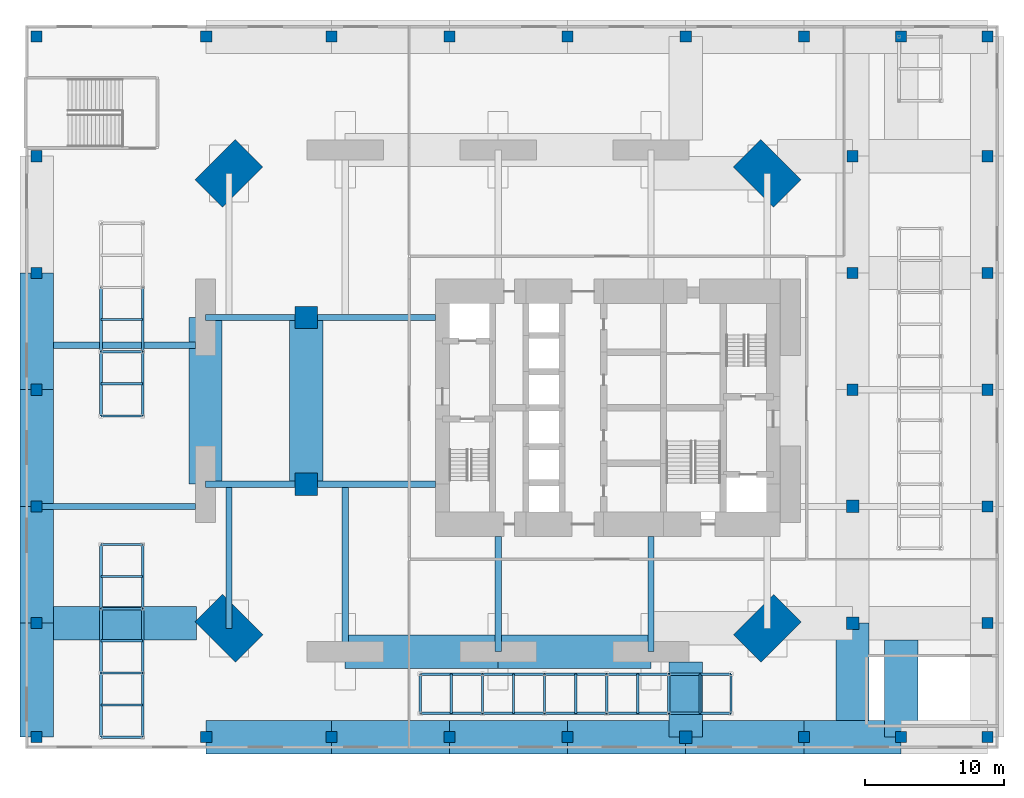
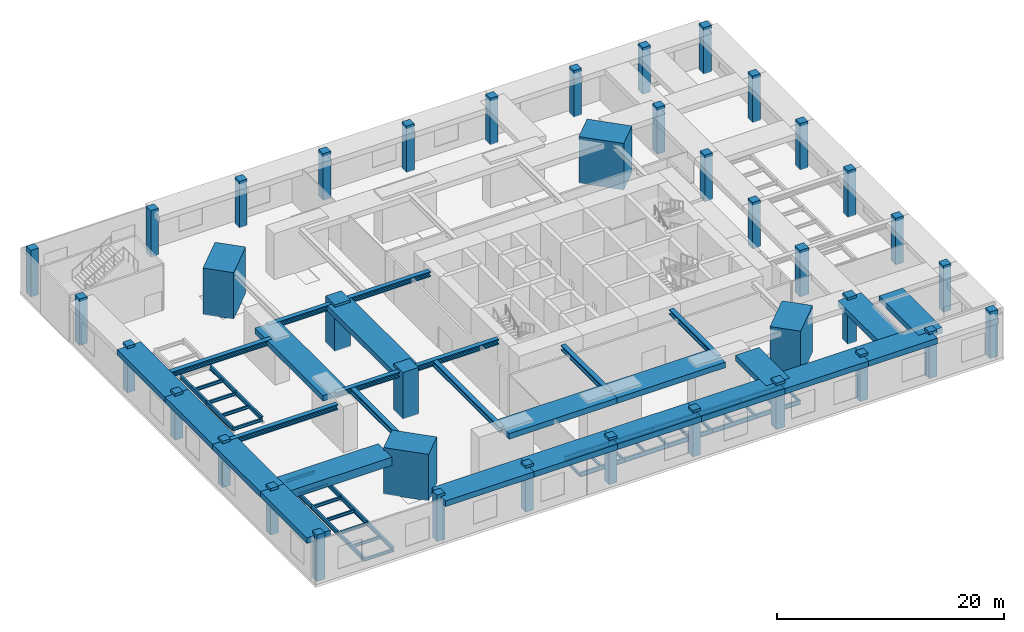
# One storey, part 1 of 17: 70 beams, 39 columns.
"""IFC4 building model written with IfcOpenShell, lengths in metres."""

from ifc_helpers import new_model, si_unit, direction, frame, origin, origin_2d, place, context, subcontext, project, spatial, rectangle, i_section, extrude, material, material_profile, profile_set, type_object, element, save


model = new_model("IFC4")

# Units and contexts
model_context = context("Model", 3, precision=1e-05, world=origin(), true_north=direction((0.0, 1.0)))
body_context = subcontext(model_context, "Body", "Model", "MODEL_VIEW")
ifc_project = project(units=[si_unit("LENGTHUNIT", "METRE"), si_unit("AREAUNIT", "SQUARE_METRE"), si_unit("VOLUMEUNIT", "CUBIC_METRE"), si_unit("PLANEANGLEUNIT", "RADIAN"), si_unit("MASSUNIT", "GRAM", prefix="KILO")], contexts=[model_context])

# Site, building, storey
site_placement = place(None, origin())
site = spatial("IfcSite", under=ifc_project, at=site_placement, CompositionType="ELEMENT")
building_placement = place(site_placement, origin())
building = spatial("IfcBuilding", under=site, at=building_placement, Name="Jalousie Tower", CompositionType="ELEMENT")
storey_placement = place(building_placement, frame((0.0, 0.0, 16.0)))
storey = spatial("IfcBuildingStorey", under=building, at=storey_placement, Name="L03", CompositionType="ELEMENT", Elevation=16.0)

# Columns
ifc_material_1 = material(Name="Concrete f'c 120 MPa", Category="concrete")
ifc_material_profile_1 = material_profile(ifc_material_1, rectangle(XDim=1.60009765625, YDim=1.60009765625, at=origin_2d()), Name="RC 1600x1600")
ifc_profile_set_1 = profile_set([ifc_material_profile_1], Name="Concrete f'c 120 MPa")
column_type_1 = type_object("IfcColumnType", Name="RC COLUMN 1600x1600", PredefinedType="COLUMN", material=ifc_profile_set_1)
for number, where, z_axis, x_axis, name in (
    (1, (10.199951171875, 13.0, 0.0), (0.0, 0.0, 1.0), (1.0, 0.0, 0.0), "Interior column IA1 L03"),
    (2, (10.199951171875, 25.0, 0.0), (0.0, 0.0, 1.0), (1.0, 0.0, 0.0), "Interior column IA2 L03"),
):
    element("IfcColumn", number, at=place(storey_placement, frame(where, z_axis=z_axis, x_axis=x_axis)), inside=storey, type_object=column_type_1, Name=name, PredefinedType="COLUMN", context=body_context, shape_type="SweptSolid", body=[
        extrude(rectangle(XDim=1.60009765625, YDim=1.60009765625, at=origin_2d()), origin(), (0.0, 0.0, 1.0), 5.0),
    ])
ifc_material_2 = material(Name="Concrete f'c 120 MPa", Category="concrete")
ifc_material_profile_2 = material_profile(ifc_material_2, rectangle(XDim=0.800048828125, YDim=0.800048828125, at=origin_2d()), Name="RC 800x800")
ifc_profile_set_2 = profile_set([ifc_material_profile_2], Name="Concrete f'c 120 MPa")
column_type_2 = type_object("IfcColumnType", Name="RC COLUMN 800x800", PredefinedType="COLUMN", material=ifc_profile_set_2)
for number, where, z_axis, x_axis, name in (
    (3, (-9.199951171875, -5.199951171875, 0.0), (0.0, 0.0, 1.0), (1.0, 0.0, 0.0), "Podium column P01 L03"),
    (4, (3.0, -5.199951171875, 0.0), (0.0, 0.0, 1.0), (1.0, 0.0, 0.0), "Podium column P02 L03"),
    (5, (12.0, -5.199951171875, 0.0), (0.0, 0.0, 1.0), (1.0, 0.0, 0.0), "Podium column P03 L03"),
    (6, (20.5, -5.199951171875, 0.0), (0.0, 0.0, 1.0), (1.0, 0.0, 0.0), "Podium column P04 L03"),
    (7, (29.0, -5.199951171875, 0.0), (0.0, 0.0, 1.0), (1.0, 0.0, 0.0), "Podium column P05 L03"),
    (8, (46.0, -5.199951171875, 0.0), (0.0, 0.0, 1.0), (1.0, 0.0, 0.0), "Podium column P07 L03"),
    (9, (53.0, -5.199951171875, 0.0), (0.0, 0.0, 1.0), (1.0, 0.0, 0.0), "Podium column P08 L03"),
    (10, (59.199951171875, -5.199951171875, 0.0), (0.0, 0.0, 1.0), (1.0, 0.0, 0.0), "Podium column P09 L03"),
    (11, (-9.199951171875, 3.0, 0.0), (0.0, 0.0, 1.0), (1.0, 0.0, 0.0), "Podium column P10 L03"),
    (12, (59.199951171875, 3.0, 0.0), (0.0, 0.0, 1.0), (1.0, 0.0, 0.0), "Podium column P12 L03"),
    (13, (-9.199951171875, 11.39990234375, 0.0), (0.0, 0.0, 1.0), (1.0, 0.0, 0.0), "Podium column P13 L03"),
    (14, (59.199951171875, 11.39990234375, 0.0), (0.0, 0.0, 1.0), (1.0, 0.0, 0.0), "Podium column P15 L03"),
    (15, (-9.199951171875, 19.800048828125, 0.0), (0.0, 0.0, 1.0), (1.0, 0.0, 0.0), "Podium column P16 L03"),
    (16, (49.5, 19.800048828125, 0.0), (0.0, 0.0, 1.0), (1.0, 0.0, 0.0), "Podium column P17 L03"),
    (17, (59.199951171875, 19.800048828125, 0.0), (0.0, 0.0, 1.0), (1.0, 0.0, 0.0), "Podium column P18 L03"),
    (18, (-9.199951171875, 28.199951171875, 0.0), (0.0, 0.0, 1.0), (1.0, 0.0, 0.0), "Podium column P19 L03"),
    (19, (49.5, 28.199951171875, 0.0), (0.0, 0.0, 1.0), (1.0, 0.0, 0.0), "Podium column P20 L03"),
    (20, (59.199951171875, 28.199951171875, 0.0), (0.0, 0.0, 1.0), (1.0, 0.0, 0.0), "Podium column P21 L03"),
    (21, (-9.199951171875, 36.60009765625, 0.0), (0.0, 0.0, 1.0), (1.0, 0.0, 0.0), "Podium column P22 L03"),
    (22, (49.5, 36.60009765625, 0.0), (0.0, 0.0, 1.0), (1.0, 0.0, 0.0), "Podium column P23 L03"),
    (23, (59.199951171875, 36.60009765625, 0.0), (0.0, 0.0, 1.0), (1.0, 0.0, 0.0), "Podium column P24 L03"),
    (24, (-9.199951171875, 45.199951171875, 0.0), (0.0, 0.0, 1.0), (1.0, 0.0, 0.0), "Podium column P25 L03"),
    (25, (3.0, 45.199951171875, 0.0), (0.0, 0.0, 1.0), (1.0, 0.0, 0.0), "Podium column P26 L03"),
    (26, (12.0, 45.199951171875, 0.0), (0.0, 0.0, 1.0), (1.0, 0.0, 0.0), "Podium column P27 L03"),
    (27, (20.5, 45.199951171875, 0.0), (0.0, 0.0, 1.0), (1.0, 0.0, 0.0), "Podium column P28 L03"),
    (28, (29.0, 45.199951171875, 0.0), (0.0, 0.0, 1.0), (1.0, 0.0, 0.0), "Podium column P29 L03"),
    (29, (37.5, 45.199951171875, 0.0), (0.0, 0.0, 1.0), (1.0, 0.0, 0.0), "Podium column P30 L03"),
    (30, (46.0, 45.199951171875, 0.0), (0.0, 0.0, 1.0), (1.0, 0.0, 0.0), "Podium column P31 L03"),
    (31, (53.0, 45.199951171875, 0.0), (0.0, 0.0, 1.0), (1.0, 0.0, 0.0), "Podium column P32 L03"),
    (32, (59.199951171875, 45.199951171875, 0.0), (0.0, 0.0, 1.0), (1.0, 0.0, 0.0), "Podium column P33 L03"),
):
    element("IfcColumn", number, at=place(storey_placement, frame(where, z_axis=z_axis, x_axis=x_axis)), inside=storey, type_object=column_type_2, Name=name, PredefinedType="COLUMN", context=body_context, shape_type="SweptSolid", body=[
        extrude(rectangle(XDim=0.800048828125, YDim=0.800048828125, at=origin_2d()), origin(), (0.0, 0.0, 1.0), 5.0),
    ])
ifc_material_3 = material(Name="Concrete f'c 120 MPa", Category="concrete")
ifc_material_profile_3 = material_profile(ifc_material_3, rectangle(XDim=0.89990234375, YDim=0.89990234375, at=origin_2d()), Name="RC 900x900")
ifc_profile_set_3 = profile_set([ifc_material_profile_3], Name="Concrete f'c 120 MPa")
column_type_3 = type_object("IfcColumnType", Name="RC COLUMN 900x900", PredefinedType="COLUMN", material=ifc_profile_set_3)
for number, where, z_axis, x_axis, name in (
    (33, (37.5, -5.199951171875, 0.0), (0.0, 0.0, 1.0), (1.0, 0.0, 0.0), "Podium column P06 L03"),
    (34, (49.5, 3.0, 0.0), (0.0, 0.0, 1.0), (1.0, 0.0, 0.0), "Podium column P11 L03"),
    (35, (49.5, 11.39990234375, 0.0), (0.0, 0.0, 1.0), (1.0, 0.0, 0.0), "Podium column P14 L03"),
):
    element("IfcColumn", number, at=place(storey_placement, frame(where, z_axis=z_axis, x_axis=x_axis)), inside=storey, type_object=column_type_3, Name=name, PredefinedType="COLUMN", context=body_context, shape_type="SweptSolid", body=[
        extrude(rectangle(XDim=0.89990234375, YDim=0.89990234375, at=origin_2d()), origin(), (0.0, 0.0, 1.0), 5.0),
    ])
ifc_material_4 = material(Name="Concrete f'c 120 MPa", Category="concrete")
ifc_material_profile_4 = material_profile(ifc_material_4, rectangle(XDim=2.800048828125, YDim=4.10009765625, at=origin_2d()), Name="RC 2800x4100")
ifc_profile_set_4 = profile_set([ifc_material_profile_4], Name="Concrete f'c 120 MPa")
column_type_4 = type_object("IfcColumnType", Name="RC CORNER COLUMN 2800x4100", PredefinedType="COLUMN", material=ifc_profile_set_4)
for number, where, z_axis, x_axis, name in (
    (36, (4.63134765625, 2.63134765625, 0.0), (0.0, 0.0, 1.0), (0.707106781187, 0.707106781187, 0.0), "Corner column 01 L03"),
    (37, (43.36865234375, 2.63134765625, 0.0), (0.0, 0.0, 1.0), (-0.707106781187, 0.707106781187, 0.0), "Corner column 05 L03"),
    (38, (43.36865234375, 35.36865234375, 0.0), (0.0, 0.0, 1.0), (-0.707106781187, -0.707106781187, 0.0), "Corner column 08 L03"),
    (39, (4.63134765625, 35.36865234375, 0.0), (0.0, 0.0, 1.0), (0.707106781187, -0.707106781187, 0.0), "Corner column 12 L03"),
):
    element("IfcColumn", number, at=place(storey_placement, frame(where, z_axis=z_axis, x_axis=x_axis)), inside=storey, type_object=column_type_4, Name=name, PredefinedType="COLUMN", context=body_context, shape_type="SweptSolid", body=[
        extrude(rectangle(XDim=2.800048828125, YDim=4.10009765625, at=origin_2d()), origin(), (0.0, 0.0, 1.0), 5.0),
    ])

# Beams
ifc_material_5 = material(Name="Steel ASTM A992 Grade 50", Category="steel")
ifc_material_profile_5 = material_profile(ifc_material_5, i_section(OverallWidth=0.45458984375, OverallDepth=0.569091796875, WebThickness=0.077880859375, FlangeThickness=0.124755859375, at=origin_2d()), Name="W14X730")
ifc_profile_set_5 = profile_set([ifc_material_profile_5], Name="Steel ASTM A992 Grade 50")
beam_type_1 = type_object("IfcBeamType", Name="LEAN COLLECTOR W14X730", PredefinedType="BEAM", material=ifc_profile_set_5)
for number, where, z_axis, x_axis, name in (
    (40, (2.949951171875, 13.0, 4.435546875), (1.0, 0.0, 0.0), (0.0, 1.0, 0.0), "Lean collector under L04"),
    (41, (2.949951171875, 25.0, 4.435546875), (1.0, 0.0, 0.0), (0.0, 1.0, 0.0), "Lean collector under L04"),
):
    element("IfcBeam", number, at=place(storey_placement, frame(where, z_axis=z_axis, x_axis=x_axis)), inside=storey, type_object=beam_type_1, Name=name, PredefinedType="BEAM", context=body_context, shape_type="SweptSolid", body=[
        extrude(i_section(OverallWidth=0.45458984375, OverallDepth=0.569091796875, WebThickness=0.077880859375, FlangeThickness=0.124755859375, at=origin_2d()), origin(), (0.0, 0.0, 1.0), 7.25),
    ])
for number, where, z_axis, x_axis, name in (
    (42, (10.199951171875, 13.0, 4.435546875), (1.0, 0.0, 0.0), (0.0, 1.0, 0.0), "Lean collector under L04"),
    (43, (10.199951171875, 25.0, 4.435546875), (1.0, 0.0, 0.0), (0.0, 1.0, 0.0), "Lean collector under L04"),
):
    element("IfcBeam", number, at=place(storey_placement, frame(where, z_axis=z_axis, x_axis=x_axis)), inside=storey, type_object=beam_type_1, Name=name, PredefinedType="BEAM", context=body_context, shape_type="SweptSolid", body=[
        extrude(i_section(OverallWidth=0.45458984375, OverallDepth=0.569091796875, WebThickness=0.077880859375, FlangeThickness=0.124755859375, at=origin_2d()), origin(), (0.0, 0.0, 1.0), 9.300048828125),
    ])
for number, where, z_axis, x_axis, name in (
    (44, (24.0, 0.949951171875, 4.435546875), (0.0, 1.0, 0.0), (-1.0, 0.0, 0.0), "Lean collector under L04"),
    (45, (35.0, 0.949951171875, 4.435546875), (0.0, 1.0, 0.0), (-1.0, 0.0, 0.0), "Lean collector under L04"),
):
    element("IfcBeam", number, at=place(storey_placement, frame(where, z_axis=z_axis, x_axis=x_axis)), inside=storey, type_object=beam_type_1, Name=name, PredefinedType="BEAM", context=body_context, shape_type="SweptSolid", body=[
        extrude(i_section(OverallWidth=0.45458984375, OverallDepth=0.569091796875, WebThickness=0.077880859375, FlangeThickness=0.124755859375, at=origin_2d()), origin(), (0.0, 0.0, 1.0), 8.300048828125),
    ])
beam_1_placement = place(storey_placement, frame((4.63134765625, 2.63134765625, 4.435546875), z_axis=(0.0, 1.0, 0.0), x_axis=(-1.0, 0.0, 0.0)))
element("IfcBeam", 46, at=beam_1_placement, inside=storey, type_object=beam_type_1, Name="Lean collector under L04", PredefinedType="BEAM", context=body_context, shape_type="SweptSolid", body=[
    extrude(i_section(OverallWidth=0.45458984375, OverallDepth=0.569091796875, WebThickness=0.077880859375, FlangeThickness=0.124755859375, at=origin_2d()), origin(), (0.0, 0.0, 1.0), 10.36865234375),
])
beam_2_placement = place(storey_placement, frame((13.0, 0.949951171875, 4.435546875), z_axis=(0.0, 1.0, 0.0), x_axis=(-1.0, 0.0, 0.0)))
element("IfcBeam", 47, at=beam_2_placement, inside=storey, type_object=beam_type_1, Name="Lean collector under L04", PredefinedType="BEAM", context=body_context, shape_type="SweptSolid", body=[
    extrude(i_section(OverallWidth=0.45458984375, OverallDepth=0.569091796875, WebThickness=0.077880859375, FlangeThickness=0.124755859375, at=origin_2d()), origin(), (0.0, 0.0, 1.0), 12.050048828125),
])
beam_3_placement = place(storey_placement, frame((-9.199951171875, 11.39990234375, 4.435546875), z_axis=(1.0, 0.0, 0.0), x_axis=(0.0, 1.0, 0.0)))
element("IfcBeam", 48, at=beam_3_placement, inside=storey, type_object=beam_type_1, Name="Lean collector under L04", PredefinedType="BEAM", context=body_context, shape_type="SweptSolid", body=[
    extrude(i_section(OverallWidth=0.45458984375, OverallDepth=0.569091796875, WebThickness=0.077880859375, FlangeThickness=0.124755859375, at=origin_2d()), origin(), (0.0, 0.0, 1.0), 11.425048828125),
])
beam_4_placement = place(storey_placement, frame((-8.0, 23.0, 4.435546875), z_axis=(1.0, 0.0, 0.0), x_axis=(0.0, 1.0, 0.0)))
element("IfcBeam", 49, at=beam_4_placement, inside=storey, type_object=beam_type_1, Name="Lean collector under L04", PredefinedType="BEAM", context=body_context, shape_type="SweptSolid", body=[
    extrude(i_section(OverallWidth=0.45458984375, OverallDepth=0.569091796875, WebThickness=0.077880859375, FlangeThickness=0.124755859375, at=origin_2d()), origin(), (0.0, 0.0, 1.0), 10.22509765625),
])
ifc_material_6 = material(Name="Steel ASTM A992 Grade 50", Category="steel")
ifc_material_profile_6 = material_profile(ifc_material_6, i_section(OverallWidth=0.164794921875, OverallDepth=0.309814453125, WebThickness=0.005859375, FlangeThickness=0.009765625, at=origin_2d()), Name="W12X26")
ifc_profile_set_6 = profile_set([ifc_material_profile_6], Name="Steel ASTM A992 Grade 50")
beam_type_2 = type_object("IfcBeamType", Name="PLANT SUPPORT BEAM W12X26", PredefinedType="BEAM", material=ifc_profile_set_6)
for number, where, z_axis, x_axis, name in (
    (50, (-4.574951171875, -5.199951171875, 0.35498046875), (1.0, 0.0, 0.0), (0.0, 1.0, 0.0), "Plant support cross beam Mechanical plant room L03"),
    (51, (-4.574951171875, -2.888916015625, 0.35498046875), (1.0, 0.0, 0.0), (0.0, 1.0, 0.0), "Plant support cross beam Mechanical plant room L03"),
    (52, (-4.574951171875, -0.577880859375, 0.35498046875), (1.0, 0.0, 0.0), (0.0, 1.0, 0.0), "Plant support cross beam Mechanical plant room L03"),
    (53, (-4.574951171875, 1.7333984375, 0.35498046875), (1.0, 0.0, 0.0), (0.0, 1.0, 0.0), "Plant support cross beam Mechanical plant room L03"),
    (54, (-4.574951171875, 4.04443359375, 0.35498046875), (1.0, 0.0, 0.0), (0.0, 1.0, 0.0), "Plant support cross beam Mechanical plant room L03"),
    (55, (-4.574951171875, 6.355712890625, 0.35498046875), (1.0, 0.0, 0.0), (0.0, 1.0, 0.0), "Plant support cross beam Mechanical plant room L03"),
    (56, (-4.574951171875, 8.666748046875, 0.35498046875), (1.0, 0.0, 0.0), (0.0, 1.0, 0.0), "Plant support cross beam Mechanical plant room L03"),
    (57, (-4.574951171875, 17.9111328125, 0.35498046875), (1.0, 0.0, 0.0), (0.0, 1.0, 0.0), "Plant support cross beam Mechanical plant room L03"),
    (58, (-4.574951171875, 20.22216796875, 0.35498046875), (1.0, 0.0, 0.0), (0.0, 1.0, 0.0), "Plant support cross beam Mechanical plant room L03"),
    (59, (-4.574951171875, 22.533203125, 0.35498046875), (1.0, 0.0, 0.0), (0.0, 1.0, 0.0), "Plant support cross beam Mechanical plant room L03"),
    (60, (-4.574951171875, 24.844482421875, 0.35498046875), (1.0, 0.0, 0.0), (0.0, 1.0, 0.0), "Plant support cross beam Mechanical plant room L03"),
):
    element("IfcBeam", number, at=place(storey_placement, frame(where, z_axis=z_axis, x_axis=x_axis)), inside=storey, type_object=beam_type_2, Name=name, PredefinedType="BEAM", context=body_context, shape_type="SweptSolid", body=[
        extrude(i_section(OverallWidth=0.164794921875, OverallDepth=0.309814453125, WebThickness=0.005859375, FlangeThickness=0.009765625, at=origin_2d()), origin(), (0.0, 0.0, 1.0), 3.0),
    ])
for number, where, z_axis, x_axis, name in (
    (61, (18.39990234375, -3.487548828125, 0.35498046875), (0.0, 1.0, 0.0), (-1.0, 0.0, 0.0), "Plant support cross beam Electrical plant room L03"),
    (62, (20.6357421875, -3.487548828125, 0.35498046875), (0.0, 1.0, 0.0), (-1.0, 0.0, 0.0), "Plant support cross beam Electrical plant room L03"),
    (63, (22.871337890625, -3.487548828125, 0.35498046875), (0.0, 1.0, 0.0), (-1.0, 0.0, 0.0), "Plant support cross beam Electrical plant room L03"),
    (64, (25.107177734375, -3.487548828125, 0.35498046875), (0.0, 1.0, 0.0), (-1.0, 0.0, 0.0), "Plant support cross beam Electrical plant room L03"),
    (65, (27.3427734375, -3.487548828125, 0.35498046875), (0.0, 1.0, 0.0), (-1.0, 0.0, 0.0), "Plant support cross beam Electrical plant room L03"),
    (66, (29.57861328125, -3.487548828125, 0.35498046875), (0.0, 1.0, 0.0), (-1.0, 0.0, 0.0), "Plant support cross beam Electrical plant room L03"),
    (67, (31.814208984375, -3.487548828125, 0.35498046875), (0.0, 1.0, 0.0), (-1.0, 0.0, 0.0), "Plant support cross beam Electrical plant room L03"),
    (68, (34.050048828125, -3.487548828125, 0.35498046875), (0.0, 1.0, 0.0), (-1.0, 0.0, 0.0), "Plant support cross beam Electrical plant room L03"),
    (69, (36.28564453125, -3.487548828125, 0.35498046875), (0.0, 1.0, 0.0), (-1.0, 0.0, 0.0), "Plant support cross beam Electrical plant room L03"),
    (70, (38.521484375, -3.487548828125, 0.35498046875), (0.0, 1.0, 0.0), (-1.0, 0.0, 0.0), "Plant support cross beam Electrical plant room L03"),
    (71, (40.757080078125, -3.487548828125, 0.35498046875), (0.0, 1.0, 0.0), (-1.0, 0.0, 0.0), "Plant support cross beam Electrical plant room L03"),
):
    element("IfcBeam", number, at=place(storey_placement, frame(where, z_axis=z_axis, x_axis=x_axis)), inside=storey, type_object=beam_type_2, Name=name, PredefinedType="BEAM", context=body_context, shape_type="SweptSolid", body=[
        extrude(i_section(OverallWidth=0.164794921875, OverallDepth=0.309814453125, WebThickness=0.005859375, FlangeThickness=0.009765625, at=origin_2d()), origin(), (0.0, 0.0, 1.0), 2.824951171875),
    ])
ifc_material_7 = material(Name="Steel ASTM A992 Grade 50", Category="steel")
ifc_material_profile_7 = material_profile(ifc_material_7, i_section(OverallWidth=0.1904296875, OverallDepth=0.457275390625, WebThickness=0.009033203125, FlangeThickness=0.014404296875, at=origin_2d()), Name="W18X50")
ifc_profile_set_7 = profile_set([ifc_material_profile_7], Name="Steel ASTM A992 Grade 50")
beam_type_3 = type_object("IfcBeamType", Name="PLANT SUPPORT BEAM W18X50", PredefinedType="BEAM", material=ifc_profile_set_7)
beam_5_placement = place(storey_placement, frame((-4.574951171875, -5.199951171875, 0.4287109375), z_axis=(0.0, 1.0, 0.0), x_axis=(-1.0, 0.0, 0.0)))
element("IfcBeam", 72, at=beam_5_placement, inside=storey, type_object=beam_type_3, Name="Plant support runner Mechanical plant room L03", PredefinedType="BEAM", context=body_context, shape_type="SweptSolid", body=[
    extrude(i_section(OverallWidth=0.1904296875, OverallDepth=0.457275390625, WebThickness=0.009033203125, FlangeThickness=0.014404296875, at=origin_2d()), origin(), (0.0, 0.0, 1.0), 4.6220703125),
])
for number, where, z_axis, x_axis, name in (
    (73, (-4.574951171875, -0.577880859375, 0.4287109375), (0.0, 1.0, 0.0), (-1.0, 0.0, 0.0), "Plant support runner Mechanical plant room L03"),
    (74, (-4.574951171875, 4.04443359375, 0.4287109375), (0.0, 1.0, 0.0), (-1.0, 0.0, 0.0), "Plant support runner Mechanical plant room L03"),
):
    element("IfcBeam", number, at=place(storey_placement, frame(where, z_axis=z_axis, x_axis=x_axis)), inside=storey, type_object=beam_type_3, Name=name, PredefinedType="BEAM", context=body_context, shape_type="SweptSolid", body=[
        extrude(i_section(OverallWidth=0.1904296875, OverallDepth=0.457275390625, WebThickness=0.009033203125, FlangeThickness=0.014404296875, at=origin_2d()), origin(), (0.0, 0.0, 1.0), 4.622314453125),
    ])
beam_6_placement = place(storey_placement, frame((-1.574951171875, -5.199951171875, 0.4287109375), z_axis=(0.0, 1.0, 0.0), x_axis=(-1.0, 0.0, 0.0)))
element("IfcBeam", 75, at=beam_6_placement, inside=storey, type_object=beam_type_3, Name="Plant support runner Mechanical plant room L03", PredefinedType="BEAM", context=body_context, shape_type="SweptSolid", body=[
    extrude(i_section(OverallWidth=0.1904296875, OverallDepth=0.457275390625, WebThickness=0.009033203125, FlangeThickness=0.014404296875, at=origin_2d()), origin(), (0.0, 0.0, 1.0), 4.6220703125),
])
for number, where, z_axis, x_axis, name in (
    (76, (-1.574951171875, -0.577880859375, 0.4287109375), (0.0, 1.0, 0.0), (-1.0, 0.0, 0.0), "Plant support runner Mechanical plant room L03"),
    (77, (-1.574951171875, 4.04443359375, 0.4287109375), (0.0, 1.0, 0.0), (-1.0, 0.0, 0.0), "Plant support runner Mechanical plant room L03"),
):
    element("IfcBeam", number, at=place(storey_placement, frame(where, z_axis=z_axis, x_axis=x_axis)), inside=storey, type_object=beam_type_3, Name=name, PredefinedType="BEAM", context=body_context, shape_type="SweptSolid", body=[
        extrude(i_section(OverallWidth=0.1904296875, OverallDepth=0.457275390625, WebThickness=0.009033203125, FlangeThickness=0.014404296875, at=origin_2d()), origin(), (0.0, 0.0, 1.0), 4.622314453125),
    ])
beam_7_placement = place(storey_placement, frame((-4.574951171875, 17.9111328125, 0.4287109375), z_axis=(0.0, 1.0, 0.0), x_axis=(-1.0, 0.0, 0.0)))
element("IfcBeam", 78, at=beam_7_placement, inside=storey, type_object=beam_type_3, Name="Plant support runner Mechanical plant room L03", PredefinedType="BEAM", context=body_context, shape_type="SweptSolid", body=[
    extrude(i_section(OverallWidth=0.1904296875, OverallDepth=0.457275390625, WebThickness=0.009033203125, FlangeThickness=0.014404296875, at=origin_2d()), origin(), (0.0, 0.0, 1.0), 4.6220703125),
])
beam_8_placement = place(storey_placement, frame((-4.574951171875, 22.533203125, 0.4287109375), z_axis=(0.0, 1.0, 0.0), x_axis=(-1.0, 0.0, 0.0)))
element("IfcBeam", 79, at=beam_8_placement, inside=storey, type_object=beam_type_3, Name="Plant support runner Mechanical plant room L03", PredefinedType="BEAM", context=body_context, shape_type="SweptSolid", body=[
    extrude(i_section(OverallWidth=0.1904296875, OverallDepth=0.457275390625, WebThickness=0.009033203125, FlangeThickness=0.014404296875, at=origin_2d()), origin(), (0.0, 0.0, 1.0), 4.622314453125),
])
beam_9_placement = place(storey_placement, frame((-1.574951171875, 17.9111328125, 0.4287109375), z_axis=(0.0, 1.0, 0.0), x_axis=(-1.0, 0.0, 0.0)))
element("IfcBeam", 80, at=beam_9_placement, inside=storey, type_object=beam_type_3, Name="Plant support runner Mechanical plant room L03", PredefinedType="BEAM", context=body_context, shape_type="SweptSolid", body=[
    extrude(i_section(OverallWidth=0.1904296875, OverallDepth=0.457275390625, WebThickness=0.009033203125, FlangeThickness=0.014404296875, at=origin_2d()), origin(), (0.0, 0.0, 1.0), 4.6220703125),
])
beam_10_placement = place(storey_placement, frame((-1.574951171875, 22.533203125, 0.4287109375), z_axis=(0.0, 1.0, 0.0), x_axis=(-1.0, 0.0, 0.0)))
element("IfcBeam", 81, at=beam_10_placement, inside=storey, type_object=beam_type_3, Name="Plant support runner Mechanical plant room L03", PredefinedType="BEAM", context=body_context, shape_type="SweptSolid", body=[
    extrude(i_section(OverallWidth=0.1904296875, OverallDepth=0.457275390625, WebThickness=0.009033203125, FlangeThickness=0.014404296875, at=origin_2d()), origin(), (0.0, 0.0, 1.0), 4.622314453125),
])
beam_11_placement = place(storey_placement, frame((18.39990234375, -3.487548828125, 0.4287109375), z_axis=(1.0, 0.0, 0.0), x_axis=(0.0, 1.0, 0.0)))
element("IfcBeam", 82, at=beam_11_placement, inside=storey, type_object=beam_type_3, Name="Plant support runner Electrical plant room L03", PredefinedType="BEAM", context=body_context, shape_type="SweptSolid", body=[
    extrude(i_section(OverallWidth=0.1904296875, OverallDepth=0.457275390625, WebThickness=0.009033203125, FlangeThickness=0.014404296875, at=origin_2d()), origin(), (0.0, 0.0, 1.0), 4.471435546875),
])
beam_12_placement = place(storey_placement, frame((22.871337890625, -3.487548828125, 0.4287109375), z_axis=(1.0, 0.0, 0.0), x_axis=(0.0, 1.0, 0.0)))
element("IfcBeam", 83, at=beam_12_placement, inside=storey, type_object=beam_type_3, Name="Plant support runner Electrical plant room L03", PredefinedType="BEAM", context=body_context, shape_type="SweptSolid", body=[
    extrude(i_section(OverallWidth=0.1904296875, OverallDepth=0.457275390625, WebThickness=0.009033203125, FlangeThickness=0.014404296875, at=origin_2d()), origin(), (0.0, 0.0, 1.0), 4.4716796875),
])
beam_13_placement = place(storey_placement, frame((27.343017578125, -3.487548828125, 0.4287109375), z_axis=(1.0, 0.0, 0.0), x_axis=(0.0, 1.0, 0.0)))
element("IfcBeam", 84, at=beam_13_placement, inside=storey, type_object=beam_type_3, Name="Plant support runner Electrical plant room L03", PredefinedType="BEAM", context=body_context, shape_type="SweptSolid", body=[
    extrude(i_section(OverallWidth=0.1904296875, OverallDepth=0.457275390625, WebThickness=0.009033203125, FlangeThickness=0.014404296875, at=origin_2d()), origin(), (0.0, 0.0, 1.0), 4.47119140625),
])
for number, where, z_axis, x_axis, name in (
    (85, (31.814208984375, -3.487548828125, 0.4287109375), (1.0, 0.0, 0.0), (0.0, 1.0, 0.0), "Plant support runner Electrical plant room L03"),
    (86, (36.28564453125, -3.487548828125, 0.4287109375), (1.0, 0.0, 0.0), (0.0, 1.0, 0.0), "Plant support runner Electrical plant room L03"),
    (87, (18.39990234375, -0.66259765625, 0.4287109375), (1.0, 0.0, 0.0), (0.0, 1.0, 0.0), "Plant support runner Electrical plant room L03"),
):
    element("IfcBeam", number, at=place(storey_placement, frame(where, z_axis=z_axis, x_axis=x_axis)), inside=storey, type_object=beam_type_3, Name=name, PredefinedType="BEAM", context=body_context, shape_type="SweptSolid", body=[
        extrude(i_section(OverallWidth=0.1904296875, OverallDepth=0.457275390625, WebThickness=0.009033203125, FlangeThickness=0.014404296875, at=origin_2d()), origin(), (0.0, 0.0, 1.0), 4.471435546875),
    ])
beam_14_placement = place(storey_placement, frame((22.871337890625, -0.66259765625, 0.4287109375), z_axis=(1.0, 0.0, 0.0), x_axis=(0.0, 1.0, 0.0)))
element("IfcBeam", 88, at=beam_14_placement, inside=storey, type_object=beam_type_3, Name="Plant support runner Electrical plant room L03", PredefinedType="BEAM", context=body_context, shape_type="SweptSolid", body=[
    extrude(i_section(OverallWidth=0.1904296875, OverallDepth=0.457275390625, WebThickness=0.009033203125, FlangeThickness=0.014404296875, at=origin_2d()), origin(), (0.0, 0.0, 1.0), 4.4716796875),
])
beam_15_placement = place(storey_placement, frame((27.343017578125, -0.66259765625, 0.4287109375), z_axis=(1.0, 0.0, 0.0), x_axis=(0.0, 1.0, 0.0)))
element("IfcBeam", 89, at=beam_15_placement, inside=storey, type_object=beam_type_3, Name="Plant support runner Electrical plant room L03", PredefinedType="BEAM", context=body_context, shape_type="SweptSolid", body=[
    extrude(i_section(OverallWidth=0.1904296875, OverallDepth=0.457275390625, WebThickness=0.009033203125, FlangeThickness=0.014404296875, at=origin_2d()), origin(), (0.0, 0.0, 1.0), 4.47119140625),
])
for number, where, z_axis, x_axis, name in (
    (90, (31.814208984375, -0.66259765625, 0.4287109375), (1.0, 0.0, 0.0), (0.0, 1.0, 0.0), "Plant support runner Electrical plant room L03"),
    (91, (36.28564453125, -0.66259765625, 0.4287109375), (1.0, 0.0, 0.0), (0.0, 1.0, 0.0), "Plant support runner Electrical plant room L03"),
):
    element("IfcBeam", number, at=place(storey_placement, frame(where, z_axis=z_axis, x_axis=x_axis)), inside=storey, type_object=beam_type_3, Name=name, PredefinedType="BEAM", context=body_context, shape_type="SweptSolid", body=[
        extrude(i_section(OverallWidth=0.1904296875, OverallDepth=0.457275390625, WebThickness=0.009033203125, FlangeThickness=0.014404296875, at=origin_2d()), origin(), (0.0, 0.0, 1.0), 4.471435546875),
    ])
ifc_material_8 = material(Name="Concrete f'c 40 MPa", Category="concrete")
ifc_material_profile_8 = material_profile(ifc_material_8, rectangle(XDim=2.39990234375, YDim=0.60009765625, at=origin_2d()), Name="RC 2400x600")
ifc_profile_set_8 = profile_set([ifc_material_profile_8], Name="Concrete f'c 40 MPa")
beam_type_4 = type_object("IfcBeamType", Name="RC BEAM 2400x600", PredefinedType="BEAM", material=ifc_profile_set_8)
for number, where, z_axis, x_axis, name in (
    (92, (13.0, 0.949951171875, 4.419921875), (1.0, 0.0, 0.0), (0.0, 1.0, 0.0), "Floor band beam under L04"),
    (93, (24.0, 0.949951171875, 4.419921875), (1.0, 0.0, 0.0), (0.0, 1.0, 0.0), "Floor band beam under L04"),
):
    element("IfcBeam", number, at=place(storey_placement, frame(where, z_axis=z_axis, x_axis=x_axis)), inside=storey, type_object=beam_type_4, Name=name, PredefinedType="BEAM", context=body_context, shape_type="SweptSolid", body=[
        extrude(rectangle(XDim=2.39990234375, YDim=0.60009765625, at=origin_2d()), origin(), (0.0, 0.0, 1.0), 11.0),
    ])
for number, where, z_axis, x_axis, name in (
    (94, (2.949951171875, 25.0, 4.419921875), (0.0, -1.0, 0.0), (1.0, 0.0, 0.0), "Floor band beam under L04"),
    (95, (10.199951171875, 13.0, 4.419921875), (0.0, 1.0, 0.0), (-1.0, 0.0, 0.0), "Floor band beam under L04"),
):
    element("IfcBeam", number, at=place(storey_placement, frame(where, z_axis=z_axis, x_axis=x_axis)), inside=storey, type_object=beam_type_4, Name=name, PredefinedType="BEAM", context=body_context, shape_type="SweptSolid", body=[
        extrude(rectangle(XDim=2.39990234375, YDim=0.60009765625, at=origin_2d()), origin(), (0.0, 0.0, 1.0), 12.0),
    ])
beam_16_placement = place(storey_placement, frame((-9.199951171875, -5.199951171875, 4.419921875), z_axis=(0.0, 1.0, 0.0), x_axis=(-1.0, 0.0, 0.0)))
element("IfcBeam", 96, at=beam_16_placement, inside=storey, type_object=beam_type_4, Name="Floor band beam under L04", PredefinedType="BEAM", context=body_context, shape_type="SweptSolid", body=[
    extrude(rectangle(XDim=2.39990234375, YDim=0.60009765625, at=origin_2d()), origin(), (0.0, 0.0, 1.0), 8.199951171875),
])
beam_17_placement = place(storey_placement, frame((-9.199951171875, 3.0, 4.419921875), z_axis=(0.0, 1.0, 0.0), x_axis=(-1.0, 0.0, 0.0)))
element("IfcBeam", 97, at=beam_17_placement, inside=storey, type_object=beam_type_4, Name="Floor band beam under L04", PredefinedType="BEAM", context=body_context, shape_type="SweptSolid", body=[
    extrude(rectangle(XDim=2.39990234375, YDim=0.60009765625, at=origin_2d()), origin(), (0.0, 0.0, 1.0), 8.39990234375),
])
beam_18_placement = place(storey_placement, frame((-9.199951171875, 11.39990234375, 4.419921875), z_axis=(0.0, 1.0, 0.0), x_axis=(-1.0, 0.0, 0.0)))
element("IfcBeam", 98, at=beam_18_placement, inside=storey, type_object=beam_type_4, Name="Floor band beam under L04", PredefinedType="BEAM", context=body_context, shape_type="SweptSolid", body=[
    extrude(rectangle(XDim=2.39990234375, YDim=0.60009765625, at=origin_2d()), origin(), (0.0, 0.0, 1.0), 8.400146484375),
])
beam_19_placement = place(storey_placement, frame((-9.199951171875, 19.800048828125, 4.419921875), z_axis=(0.0, 1.0, 0.0), x_axis=(-1.0, 0.0, 0.0)))
element("IfcBeam", 99, at=beam_19_placement, inside=storey, type_object=beam_type_4, Name="Floor band beam under L04", PredefinedType="BEAM", context=body_context, shape_type="SweptSolid", body=[
    extrude(rectangle(XDim=2.39990234375, YDim=0.60009765625, at=origin_2d()), origin(), (0.0, 0.0, 1.0), 8.39990234375),
])
beam_20_placement = place(storey_placement, frame((3.0, -5.199951171875, 4.419921875), z_axis=(1.0, 0.0, 0.0), x_axis=(0.0, 1.0, 0.0)))
element("IfcBeam", 100, at=beam_20_placement, inside=storey, type_object=beam_type_4, Name="Floor band beam under L04", PredefinedType="BEAM", context=body_context, shape_type="SweptSolid", body=[
    extrude(rectangle(XDim=2.39990234375, YDim=0.60009765625, at=origin_2d()), origin(), (0.0, 0.0, 1.0), 9.0),
])
for number, where, z_axis, x_axis, name in (
    (101, (12.0, -5.199951171875, 4.419921875), (1.0, 0.0, 0.0), (0.0, 1.0, 0.0), "Floor band beam under L04"),
    (102, (20.5, -5.199951171875, 4.419921875), (1.0, 0.0, 0.0), (0.0, 1.0, 0.0), "Floor band beam under L04"),
    (103, (29.0, -5.199951171875, 4.419921875), (1.0, 0.0, 0.0), (0.0, 1.0, 0.0), "Floor band beam under L04"),
    (104, (37.5, -5.199951171875, 4.419921875), (1.0, 0.0, 0.0), (0.0, 1.0, 0.0), "Floor band beam under L04"),
):
    element("IfcBeam", number, at=place(storey_placement, frame(where, z_axis=z_axis, x_axis=x_axis)), inside=storey, type_object=beam_type_4, Name=name, PredefinedType="BEAM", context=body_context, shape_type="SweptSolid", body=[
        extrude(rectangle(XDim=2.39990234375, YDim=0.60009765625, at=origin_2d()), origin(), (0.0, 0.0, 1.0), 8.5),
    ])
beam_21_placement = place(storey_placement, frame((37.5, -5.199951171875, 4.419921875), z_axis=(0.0, 1.0, 0.0), x_axis=(-1.0, 0.0, 0.0)))
element("IfcBeam", 105, at=beam_21_placement, inside=storey, type_object=beam_type_4, Name="Floor band beam under L04", PredefinedType="BEAM", context=body_context, shape_type="SweptSolid", body=[
    extrude(rectangle(XDim=2.39990234375, YDim=0.60009765625, at=origin_2d()), origin(), (0.0, 0.0, 1.0), 5.425048828125),
])
for number, where, z_axis, x_axis, name in (
    (106, (46.0, -5.199951171875, 4.419921875), (1.0, 0.0, 0.0), (0.0, 1.0, 0.0), "Floor band beam under L04"),
    (107, (49.5, 3.0, 4.419921875), (0.0, -1.0, 0.0), (1.0, 0.0, 0.0), "Floor band beam under L04"),
    (108, (53.0, -5.199951171875, 4.419921875), (0.0, 1.0, 0.0), (-1.0, 0.0, 0.0), "Floor band beam under L04"),
):
    element("IfcBeam", number, at=place(storey_placement, frame(where, z_axis=z_axis, x_axis=x_axis)), inside=storey, type_object=beam_type_4, Name=name, PredefinedType="BEAM", context=body_context, shape_type="SweptSolid", body=[
        extrude(rectangle(XDim=2.39990234375, YDim=0.60009765625, at=origin_2d()), origin(), (0.0, 0.0, 1.0), 7.0),
    ])
ifc_material_9 = material(Name="Concrete f'c 40 MPa", Category="concrete")
ifc_material_profile_9 = material_profile(ifc_material_9, rectangle(XDim=2.39990234375, YDim=0.89990234375, at=origin_2d()), Name="RC 2400x900")
ifc_profile_set_9 = profile_set([ifc_material_profile_9], Name="Concrete f'c 40 MPa")
beam_type_5 = type_object("IfcBeamType", Name="RC BEAM 2400x900", PredefinedType="BEAM", material=ifc_profile_set_9)
beam_22_placement = place(storey_placement, frame((-9.199951171875, 3.0, 4.27001953125), z_axis=(1.0, 0.0, 0.0), x_axis=(0.0, 1.0, 0.0)))
element("IfcBeam", 109, at=beam_22_placement, inside=storey, type_object=beam_type_5, Name="Floor band beam under L04", PredefinedType="BEAM", context=body_context, shape_type="SweptSolid", body=[
    extrude(rectangle(XDim=2.39990234375, YDim=0.89990234375, at=origin_2d()), origin(), (0.0, 0.0, 1.0), 11.48291015625),
])

save(model, "model.ifc")
